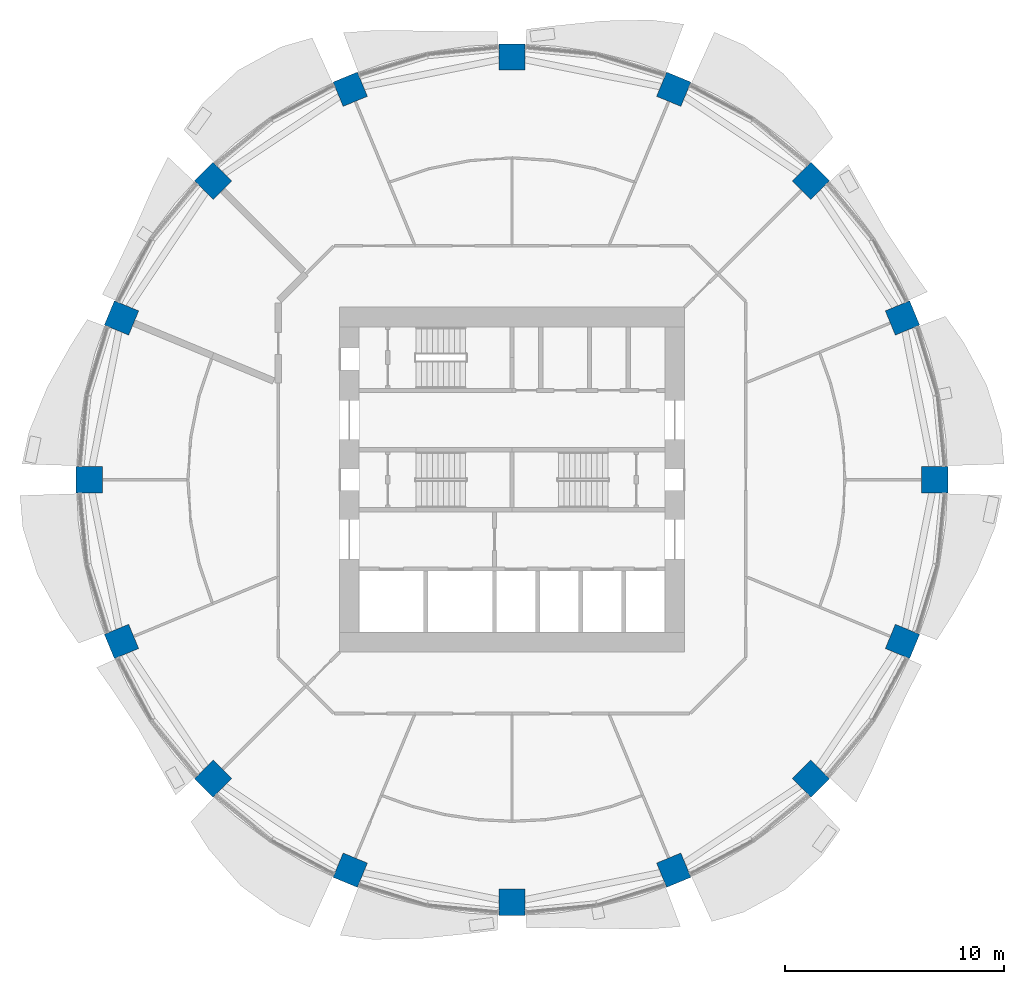
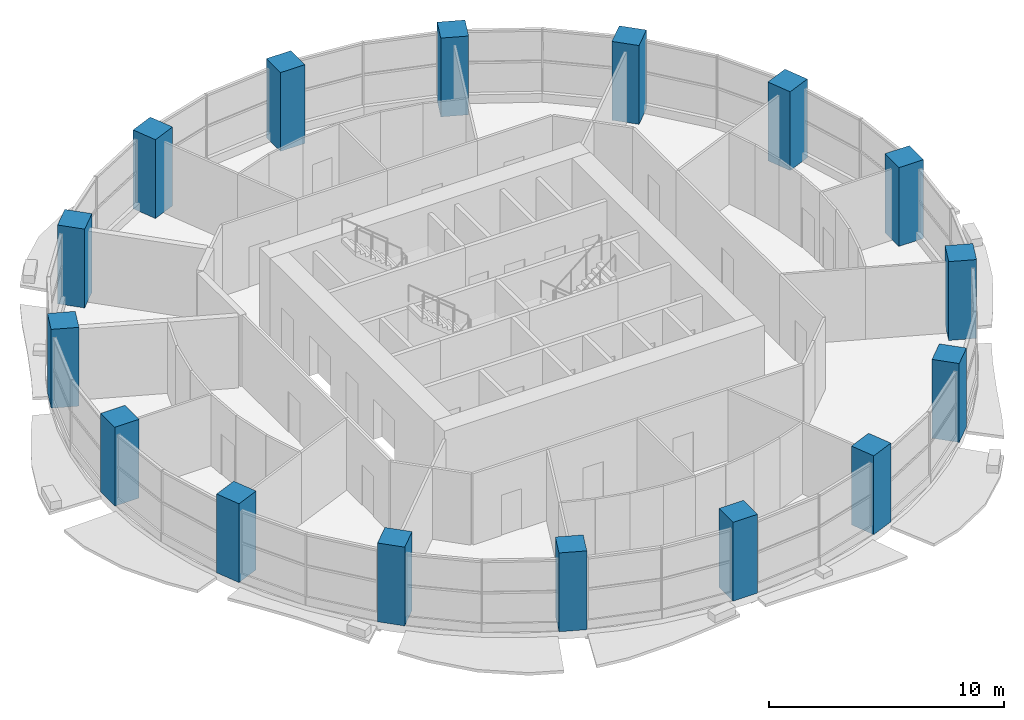
# One storey, part 1 of 14: 16 columns.
"""IFC4 building model written with IfcOpenShell, lengths in metres."""

import ifcopenshell
import ifcopenshell.guid

model = None  # the IFC model being written
_history = None  # IfcOwnerHistory: only IFC2X3 demands one
_inside = {}  # id of a spatial element -> (the spatial element, [elements in it])
_under = {}  # id of a project, library or spatial element -> (it, [spatial elements below it])
_declared = {}  # id of a project -> (the project, [libraries it declares])
_typed = {}  # id of a type object -> (the type object, [elements of that type])
_made_of = {}  # id of a material, layer set ... -> (it, [elements and type objects made of it])


def new_model(schema):
    """Start an empty IFC model of exactly this schema.

    Asked for "IFC4X3", IfcOpenShell would pick the latest addendum, in which some entities
    have other attributes; the version numbers below select the first issue.
    IFC2X3 requires an IfcOwnerHistory on every rooted entity: one is made here for all.
    """
    global model, _history
    if schema == "IFC4X3":
        model = ifcopenshell.file(schema_version=(4, 3, 0, 0))
    else:
        model = ifcopenshell.file(schema=schema)
    _inside.clear()
    _under.clear()
    _declared.clear()
    _typed.clear()
    _made_of.clear()
    _history = None
    if model.schema == "IFC2X3":
        org = make("IfcOrganization", Name="unknown")
        user = make(
            "IfcPersonAndOrganization",
            ThePerson=make("IfcPerson", FamilyName="unknown"),
            TheOrganization=org,
        )
        app = make(
            "IfcApplication",
            ApplicationDeveloper=org,
            Version="unknown",
            ApplicationFullName="unknown",
            ApplicationIdentifier="unknown",
        )
        _history = make(
            "IfcOwnerHistory",
            OwningUser=user,
            OwningApplication=app,
            ChangeAction="ADDED",
            CreationDate=0,
        )
    return model


def make(cls, **values):
    """One entity of the class cls with the attributes given. An attribute that is None is left unset."""
    return model.create_entity(
        cls, **{name: value for name, value in values.items() if value is not None}
    )


def rooted(cls, **values):
    """An entity with a GlobalId (a new one), such as an element, a storey or a relation."""
    return make(cls, GlobalId=ifcopenshell.guid.new(), OwnerHistory=_history, **values)


def si_unit(unit_type, name, prefix=None):
    """IfcSIUnit, for example si_unit("LENGTHUNIT", "METRE", prefix="MILLI")."""
    return make("IfcSIUnit", UnitType=unit_type, Prefix=prefix, Name=name)


def assignment(units):
    """IfcUnitAssignment: the units of a project."""
    return None if units is None else make("IfcUnitAssignment", Units=units)


def point(xyz):
    """IfcCartesianPoint."""
    return None if xyz is None else make("IfcCartesianPoint", Coordinates=xyz)


def direction(xyz):
    """IfcDirection."""
    return None if xyz is None else make("IfcDirection", DirectionRatios=xyz)


def frame(location, z_axis=None, x_axis=None):
    """IfcAxis2Placement3D, a coordinate frame: its origin and axes. An axis left out is left unset."""
    return make(
        "IfcAxis2Placement3D",
        Location=point(location),
        Axis=direction(z_axis),
        RefDirection=direction(x_axis),
    )


def frame_2d(location, x_axis=None):
    """IfcAxis2Placement2D, a coordinate frame in the plane: its origin and x axis."""
    return make(
        "IfcAxis2Placement2D", Location=point(location), RefDirection=direction(x_axis)
    )


def origin():
    """The frame at (0, 0, 0) with its axes left unset."""
    return frame((0.0, 0.0, 0.0))


def origin_2d():
    """The frame at (0, 0) in the plane with its x axis left unset."""
    return frame_2d((0.0, 0.0))


def place(relative_to, where):
    """IfcLocalPlacement: puts the frame where relative to a parent placement (None: the world)."""
    return make(
        "IfcLocalPlacement", PlacementRelTo=relative_to, RelativePlacement=where
    )


def context(
    kind, dimensions, precision=None, world=None, true_north=None, identifier=None
):
    """IfcGeometricRepresentationContext, for example the 3D "Model" context."""
    return make(
        "IfcGeometricRepresentationContext",
        ContextIdentifier=identifier,
        ContextType=kind,
        CoordinateSpaceDimension=dimensions,
        Precision=precision,
        WorldCoordinateSystem=world,
        TrueNorth=true_north,
    )


def subcontext(parent, identifier, kind, view, scale=None):
    """IfcGeometricRepresentationSubContext, for example "Body" below "Model"."""
    return make(
        "IfcGeometricRepresentationSubContext",
        ContextIdentifier=identifier,
        ContextType=kind,
        ParentContext=parent,
        TargetScale=scale,
        TargetView=view,
    )


def project(units=None, contexts=None):
    """IfcProject with its units and contexts."""
    return rooted(
        "IfcProject",
        Name="project",
        RepresentationContexts=contexts,
        UnitsInContext=assignment(units),
    )


def spatial(cls, under=None, at=None, **own):
    """A site, building, storey or space (cls), placed at a placement, below another one or the project."""
    s = rooted(cls, ObjectPlacement=at, **own)
    if under is not None:
        _under.setdefault(under.id(), (under, []))[1].append(s)
    return s


def profile(cls, at=None, kind="AREA", **sizes):
    """A parametric profile (cls). Its sizes go by their IFC names, for example OverallWidth=200.0."""
    return make(cls, ProfileType=kind, Position=at, **sizes)


def rectangle(**sizes):
    """IfcRectangleProfileDef."""
    return profile("IfcRectangleProfileDef", **sizes)


def extrude(swept, where, along, depth):
    """IfcExtrudedAreaSolid: the profile swept, set in the frame where, extruded along a direction by depth."""
    return make(
        "IfcExtrudedAreaSolid",
        SweptArea=swept,
        Position=where,
        ExtrudedDirection=direction(along),
        Depth=depth,
    )


def shape(context_of_items, identifier, shape_type, items):
    """IfcShapeRepresentation: the items that make up one representation, for example the "Body"."""
    return make(
        "IfcShapeRepresentation",
        ContextOfItems=context_of_items,
        RepresentationIdentifier=identifier,
        RepresentationType=shape_type,
        Items=items,
    )


def material(Name=None, Category=None):
    """IfcMaterial."""
    return make("IfcMaterial", Name=Name, Category=Category)


def material_profile(
    of_material, cross_section, Name=None, Category=None, Priority=None
):
    """IfcMaterialProfile: a cross section and its material."""
    return make(
        "IfcMaterialProfile",
        Name=Name,
        Material=of_material,
        Profile=cross_section,
        Priority=Priority,
        Category=Category,
    )


def profile_set(profiles, Name=None, composite=None):
    """IfcMaterialProfileSet."""
    return make(
        "IfcMaterialProfileSet",
        Name=Name,
        MaterialProfiles=profiles,
        CompositeProfile=composite,
    )


def made_of(thing, what):
    """Note that an element or type object is made of a material, layer set ...; save() writes the relation."""
    if what is not None:
        _made_of.setdefault(what.id(), (what, []))[1].append(thing)
    return thing


def type_object(cls, material=None, **own):
    """A type object (cls), such as IfcWallType, which elements share."""
    return made_of(rooted(cls, **own), material)


def element(
    cls,
    number,
    at=None,
    inside=None,
    cuts=None,
    type_object=None,
    material=None,
    context=None,
    identifier="Body",
    shape_type=None,
    held_by="IfcProductDefinitionShape",
    body=None,
    shapes=None,
    **own,
):
    """One element of the class cls, such as IfcWall. Its Tag is "e" and its number.

    at: its placement. inside: the storey or other place that contains it. cuts: it is an
    opening in that element (IfcRelVoidsElement). A single representation is given by context,
    identifier, shape_type and body (its items); several are given by shapes. held_by: the class
    of the entity that holds the representations. save() writes the other relations.
    """
    e = rooted(cls, Tag="e%d" % number, ObjectPlacement=at, **own)
    if body is not None:
        shapes = [shape(context, identifier, shape_type, body)]
    if shapes is not None:
        e.Representation = make(held_by, Representations=shapes)
    if inside is not None:
        _inside.setdefault(inside.id(), (inside, []))[1].append(e)
    if cuts is not None:
        rooted(
            "IfcRelVoidsElement", RelatingBuildingElement=cuts, RelatedOpeningElement=e
        )
    if type_object is not None:
        _typed.setdefault(type_object.id(), (type_object, []))[1].append(e)
    return made_of(e, material)


def aggregate(whole, parts):
    """IfcRelAggregates: a whole, such as a stair, and the parts it consists of."""
    return rooted("IfcRelAggregates", RelatingObject=whole, RelatedObjects=parts)


def save(model, path):
    """Write the relations noted so far, then the file.

    IfcRelAggregates (storeys below a building ...), IfcRelContainedInSpatialStructure (elements
    in a storey), IfcRelDefinesByType, IfcRelAssociatesMaterial and IfcRelDeclares: one each for
    every whole, place, type object, material and project.
    """
    for whole, parts in _under.values():
        aggregate(whole, parts)
    for where, things in _inside.values():
        rooted(
            "IfcRelContainedInSpatialStructure",
            RelatedElements=things,
            RelatingStructure=where,
        )
    for kind, things in _typed.values():
        rooted("IfcRelDefinesByType", RelatedObjects=things, RelatingType=kind)
    for what, things in _made_of.values():
        rooted("IfcRelAssociatesMaterial", RelatedObjects=things, RelatingMaterial=what)
    for by, libraries in _declared.values():
        rooted("IfcRelDeclares", RelatingContext=by, RelatedDefinitions=libraries)
    model.write(path)


model = new_model("IFC4")

# Units and contexts
model_context = context("Model", 3, precision=1e-05, world=origin(), true_north=direction((0.0, 1.0)))
body_context = subcontext(model_context, "Body", "Model", "MODEL_VIEW")
ifc_project = project(units=[si_unit("LENGTHUNIT", "METRE"), si_unit("AREAUNIT", "SQUARE_METRE"), si_unit("VOLUMEUNIT", "CUBIC_METRE"), si_unit("PLANEANGLEUNIT", "RADIAN"), si_unit("MASSUNIT", "GRAM", prefix="KILO")], contexts=[model_context])

# Site, building, storey
site_placement = place(None, origin())
site = spatial("IfcSite", under=ifc_project, at=site_placement, CompositionType="ELEMENT")
building_placement = place(site_placement, origin())
building = spatial("IfcBuilding", under=site, at=building_placement, Name="Polderwave Tower", CompositionType="ELEMENT")
storey_placement = place(building_placement, frame((0.0, 0.0, 14.39990234375)))
storey = spatial("IfcBuildingStorey", under=building, at=storey_placement, Name="L03", CompositionType="ELEMENT", Elevation=14.39990234375)

# Columns
ifc_material = material(Name="Concrete C80/95", Category="concrete")
ifc_material_profile = material_profile(ifc_material, rectangle(XDim=1.199951171875, YDim=1.199951171875, at=origin_2d()), Name="RC 1200x1200")
ifc_profile_set = profile_set([ifc_material_profile], Name="Concrete C80/95")
column_type = type_object("IfcColumnType", Name="RC COLUMN 1200x1200 C80/95", PredefinedType="COLUMN", material=ifc_profile_set)
for number, where, z_axis, x_axis, name in (
    (1, (19.2900390625, 0.0, 0.0), (0.0, 0.0, 1.0), (1.0, 0.0, 0.0), "Ring column 01"),
    (2, (17.821533203125, 7.382080078125, 0.0), (0.0, 0.0, 1.0), (0.923879532511, 0.382683432365, 0.0), "Ring column 02"),
    (3, (13.64013671875, 13.64013671875, 0.0), (0.0, 0.0, 1.0), (0.707106781187, 0.707106781187, 0.0), "Ring column 03"),
    (4, (7.382080078125, 17.821533203125, 0.0), (0.0, 0.0, 1.0), (0.382683432365, 0.923879532511, 0.0), "Ring column 04"),
    (5, (0.0, 19.2900390625, 0.0), (0.0, 0.0, 1.0), (0.0, 1.0, 0.0), "Ring column 05"),
    (6, (-7.382080078125, 17.821533203125, 0.0), (0.0, 0.0, 1.0), (-0.382683432365, 0.923879532511, 0.0), "Ring column 06"),
    (7, (-13.64013671875, 13.64013671875, 0.0), (0.0, 0.0, 1.0), (-0.707106781187, 0.707106781187, 0.0), "Ring column 07"),
    (8, (-17.821533203125, 7.382080078125, 0.0), (0.0, 0.0, 1.0), (-0.923879532511, 0.382683432365, 0.0), "Ring column 08"),
    (9, (-19.2900390625, 0.0, 0.0), (0.0, 0.0, 1.0), (-1.0, 0.0, 0.0), "Ring column 09"),
    (10, (-17.821533203125, -7.382080078125, 0.0), (0.0, 0.0, 1.0), (-0.923879532511, -0.382683432365, 0.0), "Ring column 10"),
    (11, (-13.64013671875, -13.64013671875, 0.0), (0.0, 0.0, 1.0), (-0.707106781187, -0.707106781187, 0.0), "Ring column 11"),
    (12, (-7.382080078125, -17.821533203125, 0.0), (0.0, 0.0, 1.0), (-0.382683432365, -0.923879532511, 0.0), "Ring column 12"),
    (13, (0.0, -19.2900390625, 0.0), (0.0, 0.0, 1.0), (0.0, -1.0, 0.0), "Ring column 13"),
    (14, (7.382080078125, -17.821533203125, 0.0), (0.0, 0.0, 1.0), (0.382683432365, -0.923879532511, 0.0), "Ring column 14"),
    (15, (13.64013671875, -13.64013671875, 0.0), (0.0, 0.0, 1.0), (0.707106781187, -0.707106781187, 0.0), "Ring column 15"),
    (16, (17.821533203125, -7.382080078125, 0.0), (0.0, 0.0, 1.0), (0.923879532511, -0.382683432365, 0.0), "Ring column 16"),
):
    element("IfcColumn", number, at=place(storey_placement, frame(where, z_axis=z_axis, x_axis=x_axis)), inside=storey, type_object=column_type, Name=name, PredefinedType="COLUMN", context=body_context, shape_type="SweptSolid", body=[
        extrude(rectangle(XDim=1.199951171875, YDim=1.199951171875, at=origin_2d()), origin(), (0.0, 0.0, 1.0), 4.10009765625),
    ])

save(model, "model.ifc")
